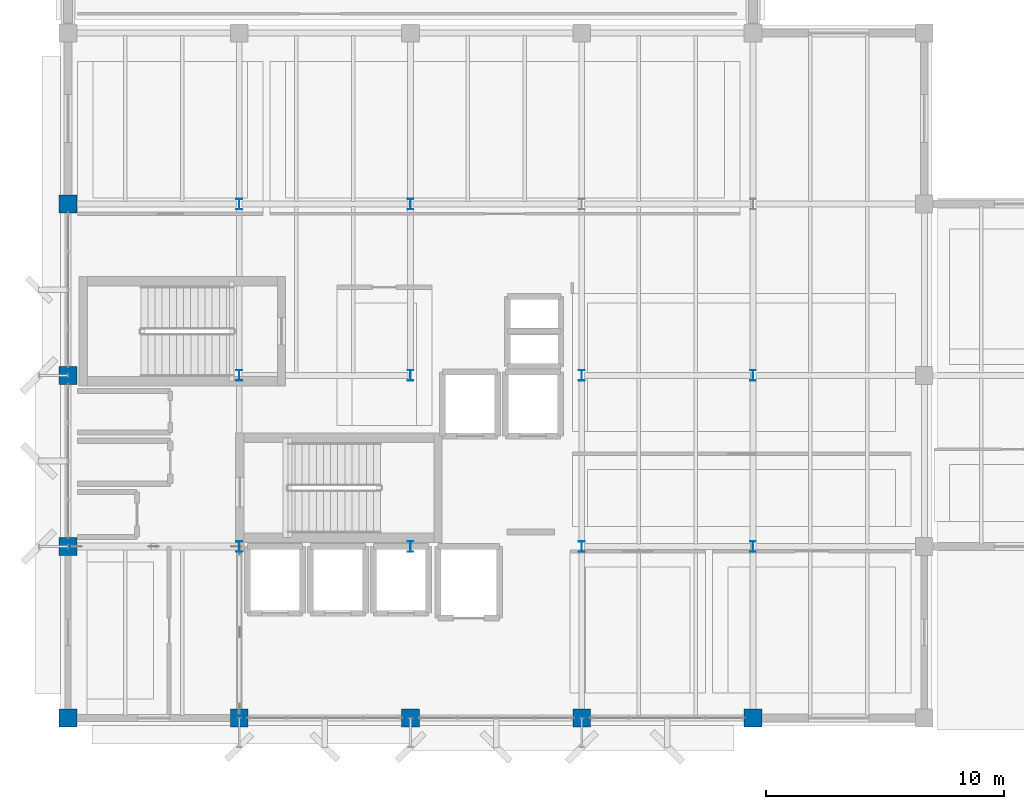
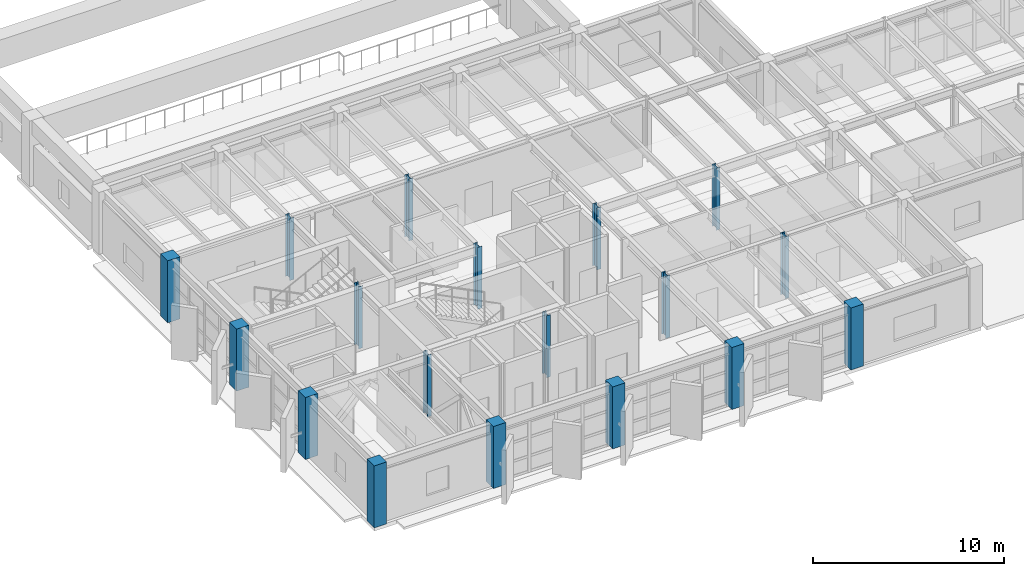
# One storey, part 1 of 37: 18 columns.
"""IFC4 building model written with IfcOpenShell, lengths in metres."""

import ifcopenshell
import ifcopenshell.guid

model = None  # the IFC model being written
_history = None  # IfcOwnerHistory: only IFC2X3 demands one
_inside = {}  # id of a spatial element -> (the spatial element, [elements in it])
_under = {}  # id of a project, library or spatial element -> (it, [spatial elements below it])
_declared = {}  # id of a project -> (the project, [libraries it declares])
_typed = {}  # id of a type object -> (the type object, [elements of that type])
_made_of = {}  # id of a material, layer set ... -> (it, [elements and type objects made of it])


def new_model(schema):
    """Start an empty IFC model of exactly this schema.

    Asked for "IFC4X3", IfcOpenShell would pick the latest addendum, in which some entities
    have other attributes; the version numbers below select the first issue.
    IFC2X3 requires an IfcOwnerHistory on every rooted entity: one is made here for all.
    """
    global model, _history
    if schema == "IFC4X3":
        model = ifcopenshell.file(schema_version=(4, 3, 0, 0))
    else:
        model = ifcopenshell.file(schema=schema)
    _inside.clear()
    _under.clear()
    _declared.clear()
    _typed.clear()
    _made_of.clear()
    _history = None
    if model.schema == "IFC2X3":
        org = make("IfcOrganization", Name="unknown")
        user = make(
            "IfcPersonAndOrganization",
            ThePerson=make("IfcPerson", FamilyName="unknown"),
            TheOrganization=org,
        )
        app = make(
            "IfcApplication",
            ApplicationDeveloper=org,
            Version="unknown",
            ApplicationFullName="unknown",
            ApplicationIdentifier="unknown",
        )
        _history = make(
            "IfcOwnerHistory",
            OwningUser=user,
            OwningApplication=app,
            ChangeAction="ADDED",
            CreationDate=0,
        )
    return model


def make(cls, **values):
    """One entity of the class cls with the attributes given. An attribute that is None is left unset."""
    return model.create_entity(
        cls, **{name: value for name, value in values.items() if value is not None}
    )


def rooted(cls, **values):
    """An entity with a GlobalId (a new one), such as an element, a storey or a relation."""
    return make(cls, GlobalId=ifcopenshell.guid.new(), OwnerHistory=_history, **values)


def si_unit(unit_type, name, prefix=None):
    """IfcSIUnit, for example si_unit("LENGTHUNIT", "METRE", prefix="MILLI")."""
    return make("IfcSIUnit", UnitType=unit_type, Prefix=prefix, Name=name)


def assignment(units):
    """IfcUnitAssignment: the units of a project."""
    return None if units is None else make("IfcUnitAssignment", Units=units)


def point(xyz):
    """IfcCartesianPoint."""
    return None if xyz is None else make("IfcCartesianPoint", Coordinates=xyz)


def direction(xyz):
    """IfcDirection."""
    return None if xyz is None else make("IfcDirection", DirectionRatios=xyz)


def frame(location, z_axis=None, x_axis=None):
    """IfcAxis2Placement3D, a coordinate frame: its origin and axes. An axis left out is left unset."""
    return make(
        "IfcAxis2Placement3D",
        Location=point(location),
        Axis=direction(z_axis),
        RefDirection=direction(x_axis),
    )


def frame_2d(location, x_axis=None):
    """IfcAxis2Placement2D, a coordinate frame in the plane: its origin and x axis."""
    return make(
        "IfcAxis2Placement2D", Location=point(location), RefDirection=direction(x_axis)
    )


def origin():
    """The frame at (0, 0, 0) with its axes left unset."""
    return frame((0.0, 0.0, 0.0))


def origin_2d():
    """The frame at (0, 0) in the plane with its x axis left unset."""
    return frame_2d((0.0, 0.0))


def place(relative_to, where):
    """IfcLocalPlacement: puts the frame where relative to a parent placement (None: the world)."""
    return make(
        "IfcLocalPlacement", PlacementRelTo=relative_to, RelativePlacement=where
    )


def context(
    kind, dimensions, precision=None, world=None, true_north=None, identifier=None
):
    """IfcGeometricRepresentationContext, for example the 3D "Model" context."""
    return make(
        "IfcGeometricRepresentationContext",
        ContextIdentifier=identifier,
        ContextType=kind,
        CoordinateSpaceDimension=dimensions,
        Precision=precision,
        WorldCoordinateSystem=world,
        TrueNorth=true_north,
    )


def subcontext(parent, identifier, kind, view, scale=None):
    """IfcGeometricRepresentationSubContext, for example "Body" below "Model"."""
    return make(
        "IfcGeometricRepresentationSubContext",
        ContextIdentifier=identifier,
        ContextType=kind,
        ParentContext=parent,
        TargetScale=scale,
        TargetView=view,
    )


def project(units=None, contexts=None):
    """IfcProject with its units and contexts."""
    return rooted(
        "IfcProject",
        Name="project",
        RepresentationContexts=contexts,
        UnitsInContext=assignment(units),
    )


def spatial(cls, under=None, at=None, **own):
    """A site, building, storey or space (cls), placed at a placement, below another one or the project."""
    s = rooted(cls, ObjectPlacement=at, **own)
    if under is not None:
        _under.setdefault(under.id(), (under, []))[1].append(s)
    return s


def profile(cls, at=None, kind="AREA", **sizes):
    """A parametric profile (cls). Its sizes go by their IFC names, for example OverallWidth=200.0."""
    return make(cls, ProfileType=kind, Position=at, **sizes)


def rectangle(**sizes):
    """IfcRectangleProfileDef."""
    return profile("IfcRectangleProfileDef", **sizes)


def i_section(**sizes):
    """IfcIShapeProfileDef."""
    return profile("IfcIShapeProfileDef", **sizes)


def extrude(swept, where, along, depth):
    """IfcExtrudedAreaSolid: the profile swept, set in the frame where, extruded along a direction by depth."""
    return make(
        "IfcExtrudedAreaSolid",
        SweptArea=swept,
        Position=where,
        ExtrudedDirection=direction(along),
        Depth=depth,
    )


def shape(context_of_items, identifier, shape_type, items):
    """IfcShapeRepresentation: the items that make up one representation, for example the "Body"."""
    return make(
        "IfcShapeRepresentation",
        ContextOfItems=context_of_items,
        RepresentationIdentifier=identifier,
        RepresentationType=shape_type,
        Items=items,
    )


def material(Name=None, Category=None):
    """IfcMaterial."""
    return make("IfcMaterial", Name=Name, Category=Category)


def material_profile(
    of_material, cross_section, Name=None, Category=None, Priority=None
):
    """IfcMaterialProfile: a cross section and its material."""
    return make(
        "IfcMaterialProfile",
        Name=Name,
        Material=of_material,
        Profile=cross_section,
        Priority=Priority,
        Category=Category,
    )


def profile_set(profiles, Name=None, composite=None):
    """IfcMaterialProfileSet."""
    return make(
        "IfcMaterialProfileSet",
        Name=Name,
        MaterialProfiles=profiles,
        CompositeProfile=composite,
    )


def made_of(thing, what):
    """Note that an element or type object is made of a material, layer set ...; save() writes the relation."""
    if what is not None:
        _made_of.setdefault(what.id(), (what, []))[1].append(thing)
    return thing


def type_object(cls, material=None, **own):
    """A type object (cls), such as IfcWallType, which elements share."""
    return made_of(rooted(cls, **own), material)


def element(
    cls,
    number,
    at=None,
    inside=None,
    cuts=None,
    type_object=None,
    material=None,
    context=None,
    identifier="Body",
    shape_type=None,
    held_by="IfcProductDefinitionShape",
    body=None,
    shapes=None,
    **own,
):
    """One element of the class cls, such as IfcWall. Its Tag is "e" and its number.

    at: its placement. inside: the storey or other place that contains it. cuts: it is an
    opening in that element (IfcRelVoidsElement). A single representation is given by context,
    identifier, shape_type and body (its items); several are given by shapes. held_by: the class
    of the entity that holds the representations. save() writes the other relations.
    """
    e = rooted(cls, Tag="e%d" % number, ObjectPlacement=at, **own)
    if body is not None:
        shapes = [shape(context, identifier, shape_type, body)]
    if shapes is not None:
        e.Representation = make(held_by, Representations=shapes)
    if inside is not None:
        _inside.setdefault(inside.id(), (inside, []))[1].append(e)
    if cuts is not None:
        rooted(
            "IfcRelVoidsElement", RelatingBuildingElement=cuts, RelatedOpeningElement=e
        )
    if type_object is not None:
        _typed.setdefault(type_object.id(), (type_object, []))[1].append(e)
    return made_of(e, material)


def aggregate(whole, parts):
    """IfcRelAggregates: a whole, such as a stair, and the parts it consists of."""
    return rooted("IfcRelAggregates", RelatingObject=whole, RelatedObjects=parts)


def save(model, path):
    """Write the relations noted so far, then the file.

    IfcRelAggregates (storeys below a building ...), IfcRelContainedInSpatialStructure (elements
    in a storey), IfcRelDefinesByType, IfcRelAssociatesMaterial and IfcRelDeclares: one each for
    every whole, place, type object, material and project.
    """
    for whole, parts in _under.values():
        aggregate(whole, parts)
    for where, things in _inside.values():
        rooted(
            "IfcRelContainedInSpatialStructure",
            RelatedElements=things,
            RelatingStructure=where,
        )
    for kind, things in _typed.values():
        rooted("IfcRelDefinesByType", RelatedObjects=things, RelatingType=kind)
    for what, things in _made_of.values():
        rooted("IfcRelAssociatesMaterial", RelatedObjects=things, RelatingMaterial=what)
    for by, libraries in _declared.values():
        rooted("IfcRelDeclares", RelatingContext=by, RelatedDefinitions=libraries)
    model.write(path)


model = new_model("IFC4")

# Units and contexts
model_context = context("Model", 3, precision=1e-05, world=origin(), true_north=direction((0.0, 1.0)))
body_context = subcontext(model_context, "Body", "Model", "MODEL_VIEW")
ifc_project = project(units=[si_unit("LENGTHUNIT", "METRE"), si_unit("AREAUNIT", "SQUARE_METRE"), si_unit("VOLUMEUNIT", "CUBIC_METRE"), si_unit("PLANEANGLEUNIT", "RADIAN"), si_unit("MASSUNIT", "GRAM", prefix="KILO")], contexts=[model_context])

# Site, building, storey
site_placement = place(None, origin())
site = spatial("IfcSite", under=ifc_project, at=site_placement, CompositionType="ELEMENT")
building_placement = place(site_placement, origin())
building = spatial("IfcBuilding", under=site, at=building_placement, Name="Kandorven Conservatory and Botanical Research Centre", CompositionType="ELEMENT")
storey_placement = place(building_placement, frame((0.0, 0.0, 9.0)))
storey = spatial("IfcBuildingStorey", under=building, at=storey_placement, Name="L02", CompositionType="ELEMENT", Elevation=9.0)

# Columns
ifc_material_1 = material(Name="Steel S355 (IS 2062 E350)", Category="steel")
ifc_material_profile_1 = material_profile(ifc_material_1, i_section(OverallWidth=0.25, OverallDepth=0.449951171875, WebThickness=0.01123046875, FlangeThickness=0.013671875, at=origin_2d()))
ifc_profile_set_1 = profile_set([ifc_material_profile_1], Name="Steel S355 (IS 2062 E350)")
column_type_1 = type_object("IfcColumnType", Name="Col_SC-01", PredefinedType="COLUMN", material=ifc_profile_set_1)
for number, where, z_axis, x_axis, name in (
    (1, (13.199951171875, 13.199951171875, 0.0), (0.0, 0.0, 1.0), (1.0, 0.0, 0.0), "Column SC-01 TWR L02 (2,2)"),
    (2, (13.199951171875, 20.39990234375, 0.0), (0.0, 0.0, 1.0), (1.0, 0.0, 0.0), "Column SC-01 TWR L02 (2,3)"),
    (3, (13.199951171875, 27.60009765625, 0.0), (0.0, 0.0, 1.0), (1.0, 0.0, 0.0), "Column SC-01 TWR L02 (2,4)"),
    (4, (20.39990234375, 13.199951171875, 0.0), (0.0, 0.0, 1.0), (1.0, 0.0, 0.0), "Column SC-01 TWR L02 (3,2)"),
    (5, (20.39990234375, 20.39990234375, 0.0), (0.0, 0.0, 1.0), (1.0, 0.0, 0.0), "Column SC-01 TWR L02 (3,3)"),
    (6, (20.39990234375, 27.60009765625, 0.0), (0.0, 0.0, 1.0), (1.0, 0.0, 0.0), "Column SC-01 TWR L02 (3,4)"),
    (7, (27.60009765625, 13.199951171875, 0.0), (0.0, 0.0, 1.0), (1.0, 0.0, 0.0), "Column SC-01 TWR L02 (4,2)"),
    (8, (27.60009765625, 20.39990234375, 0.0), (0.0, 0.0, 1.0), (1.0, 0.0, 0.0), "Column SC-01 TWR L02 (4,3)"),
    (9, (34.800048828125, 13.199951171875, 0.0), (0.0, 0.0, 1.0), (1.0, 0.0, 0.0), "Column SC-01 TWR L02 (5,2)"),
    (10, (34.800048828125, 20.39990234375, 0.0), (0.0, 0.0, 1.0), (1.0, 0.0, 0.0), "Column SC-01 TWR L02 (5,3)"),
):
    element("IfcColumn", number, at=place(storey_placement, frame(where, z_axis=z_axis, x_axis=x_axis)), inside=storey, type_object=column_type_1, Name=name, PredefinedType="COLUMN", context=body_context, shape_type="SweptSolid", body=[
        extrude(i_section(OverallWidth=0.25, OverallDepth=0.449951171875, WebThickness=0.01123046875, FlangeThickness=0.013671875, at=origin_2d()), origin(), (0.0, 0.0, 1.0), 3.9599609375),
    ])
ifc_material_2 = material(Name="Concrete C40/50 (M50)", Category="concrete")
ifc_material_profile_2 = material_profile(ifc_material_2, rectangle(XDim=0.75, YDim=0.75, at=origin_2d()))
ifc_profile_set_2 = profile_set([ifc_material_profile_2], Name="Concrete C40/50 (M50)")
column_type_2 = type_object("IfcColumnType", Name="Col_TC-03", PredefinedType="COLUMN", material=ifc_profile_set_2)
for number, where, z_axis, x_axis, name in (
    (11, (6.0, 6.0, 0.0), (0.0, 0.0, 1.0), (1.0, 0.0, 0.0), "Column TC-03 TWR L02 (1,1)"),
    (12, (6.0, 13.199951171875, 0.0), (0.0, 0.0, 1.0), (1.0, 0.0, 0.0), "Column TC-03 TWR L02 (1,2)"),
    (13, (6.0, 20.39990234375, 0.0), (0.0, 0.0, 1.0), (1.0, 0.0, 0.0), "Column TC-03 TWR L02 (1,3)"),
    (14, (6.0, 27.60009765625, 0.0), (0.0, 0.0, 1.0), (1.0, 0.0, 0.0), "Column TC-03 TWR L02 (1,4)"),
    (15, (13.199951171875, 6.0, 0.0), (0.0, 0.0, 1.0), (1.0, 0.0, 0.0), "Column TC-03 TWR L02 (2,1)"),
    (16, (20.39990234375, 6.0, 0.0), (0.0, 0.0, 1.0), (1.0, 0.0, 0.0), "Column TC-03 TWR L02 (3,1)"),
    (17, (27.60009765625, 6.0, 0.0), (0.0, 0.0, 1.0), (1.0, 0.0, 0.0), "Column TC-03 TWR L02 (4,1)"),
    (18, (34.800048828125, 6.0, 0.0), (0.0, 0.0, 1.0), (1.0, 0.0, 0.0), "Column TC-03 TWR L02 (5,1)"),
):
    element("IfcColumn", number, at=place(storey_placement, frame(where, z_axis=z_axis, x_axis=x_axis)), inside=storey, type_object=column_type_2, Name=name, PredefinedType="COLUMN", context=body_context, shape_type="SweptSolid", body=[
        extrude(rectangle(XDim=0.75, YDim=0.75, at=origin_2d()), origin(), (0.0, 0.0, 1.0), 3.9599609375),
    ])

save(model, "model.ifc")
